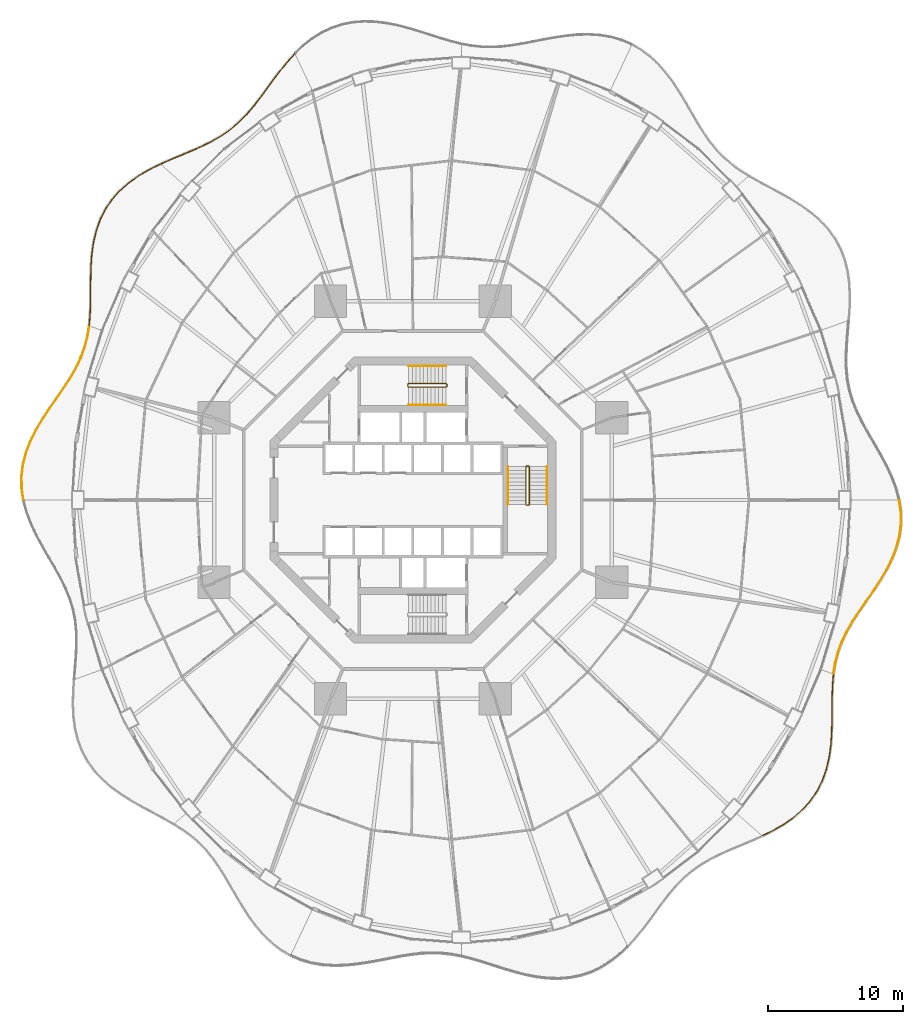
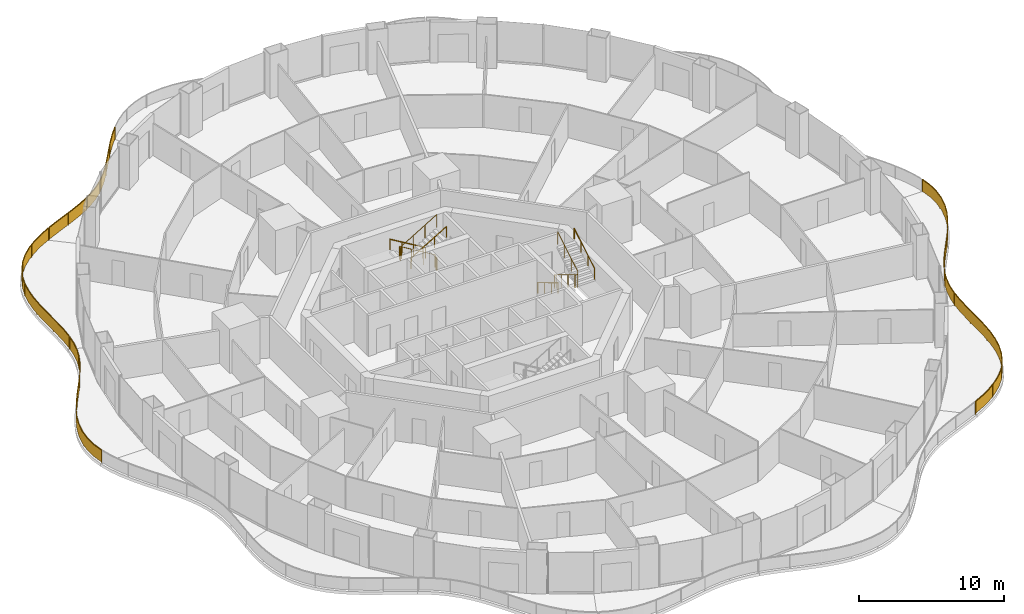
# One storey, part 21 of 22: 11 railings.
"""IFC4 building model written with IfcOpenShell, lengths in metres."""

import ifcopenshell
import ifcopenshell.guid

model = None  # the IFC model being written
_history = None  # IfcOwnerHistory: only IFC2X3 demands one
_inside = {}  # id of a spatial element -> (the spatial element, [elements in it])
_under = {}  # id of a project, library or spatial element -> (it, [spatial elements below it])
_declared = {}  # id of a project -> (the project, [libraries it declares])
_typed = {}  # id of a type object -> (the type object, [elements of that type])
_made_of = {}  # id of a material, layer set ... -> (it, [elements and type objects made of it])


def new_model(schema):
    """Start an empty IFC model of exactly this schema.

    Asked for "IFC4X3", IfcOpenShell would pick the latest addendum, in which some entities
    have other attributes; the version numbers below select the first issue.
    IFC2X3 requires an IfcOwnerHistory on every rooted entity: one is made here for all.
    """
    global model, _history
    if schema == "IFC4X3":
        model = ifcopenshell.file(schema_version=(4, 3, 0, 0))
    else:
        model = ifcopenshell.file(schema=schema)
    _inside.clear()
    _under.clear()
    _declared.clear()
    _typed.clear()
    _made_of.clear()
    _history = None
    if model.schema == "IFC2X3":
        org = make("IfcOrganization", Name="unknown")
        user = make(
            "IfcPersonAndOrganization",
            ThePerson=make("IfcPerson", FamilyName="unknown"),
            TheOrganization=org,
        )
        app = make(
            "IfcApplication",
            ApplicationDeveloper=org,
            Version="unknown",
            ApplicationFullName="unknown",
            ApplicationIdentifier="unknown",
        )
        _history = make(
            "IfcOwnerHistory",
            OwningUser=user,
            OwningApplication=app,
            ChangeAction="ADDED",
            CreationDate=0,
        )
    return model


def make(cls, **values):
    """One entity of the class cls with the attributes given. An attribute that is None is left unset."""
    return model.create_entity(
        cls, **{name: value for name, value in values.items() if value is not None}
    )


def rooted(cls, **values):
    """An entity with a GlobalId (a new one), such as an element, a storey or a relation."""
    return make(cls, GlobalId=ifcopenshell.guid.new(), OwnerHistory=_history, **values)


def si_unit(unit_type, name, prefix=None):
    """IfcSIUnit, for example si_unit("LENGTHUNIT", "METRE", prefix="MILLI")."""
    return make("IfcSIUnit", UnitType=unit_type, Prefix=prefix, Name=name)


def assignment(units):
    """IfcUnitAssignment: the units of a project."""
    return None if units is None else make("IfcUnitAssignment", Units=units)


def point(xyz):
    """IfcCartesianPoint."""
    return None if xyz is None else make("IfcCartesianPoint", Coordinates=xyz)


def direction(xyz):
    """IfcDirection."""
    return None if xyz is None else make("IfcDirection", DirectionRatios=xyz)


def frame(location, z_axis=None, x_axis=None):
    """IfcAxis2Placement3D, a coordinate frame: its origin and axes. An axis left out is left unset."""
    return make(
        "IfcAxis2Placement3D",
        Location=point(location),
        Axis=direction(z_axis),
        RefDirection=direction(x_axis),
    )


def frame_2d(location, x_axis=None):
    """IfcAxis2Placement2D, a coordinate frame in the plane: its origin and x axis."""
    return make(
        "IfcAxis2Placement2D", Location=point(location), RefDirection=direction(x_axis)
    )


def origin():
    """The frame at (0, 0, 0) with its axes left unset."""
    return frame((0.0, 0.0, 0.0))


def origin_2d():
    """The frame at (0, 0) in the plane with its x axis left unset."""
    return frame_2d((0.0, 0.0))


def place(relative_to, where):
    """IfcLocalPlacement: puts the frame where relative to a parent placement (None: the world)."""
    return make(
        "IfcLocalPlacement", PlacementRelTo=relative_to, RelativePlacement=where
    )


def context(
    kind, dimensions, precision=None, world=None, true_north=None, identifier=None
):
    """IfcGeometricRepresentationContext, for example the 3D "Model" context."""
    return make(
        "IfcGeometricRepresentationContext",
        ContextIdentifier=identifier,
        ContextType=kind,
        CoordinateSpaceDimension=dimensions,
        Precision=precision,
        WorldCoordinateSystem=world,
        TrueNorth=true_north,
    )


def subcontext(parent, identifier, kind, view, scale=None):
    """IfcGeometricRepresentationSubContext, for example "Body" below "Model"."""
    return make(
        "IfcGeometricRepresentationSubContext",
        ContextIdentifier=identifier,
        ContextType=kind,
        ParentContext=parent,
        TargetScale=scale,
        TargetView=view,
    )


def project(units=None, contexts=None):
    """IfcProject with its units and contexts."""
    return rooted(
        "IfcProject",
        Name="project",
        RepresentationContexts=contexts,
        UnitsInContext=assignment(units),
    )


def spatial(cls, under=None, at=None, **own):
    """A site, building, storey or space (cls), placed at a placement, below another one or the project."""
    s = rooted(cls, ObjectPlacement=at, **own)
    if under is not None:
        _under.setdefault(under.id(), (under, []))[1].append(s)
    return s


def polyline(points):
    """IfcPolyline through the points."""
    return make("IfcPolyline", Points=[point(p) for p in points])


def profile(cls, at=None, kind="AREA", **sizes):
    """A parametric profile (cls). Its sizes go by their IFC names, for example OverallWidth=200.0."""
    return make(cls, ProfileType=kind, Position=at, **sizes)


def rectangle(**sizes):
    """IfcRectangleProfileDef."""
    return profile("IfcRectangleProfileDef", **sizes)


def circle(**sizes):
    """IfcCircleProfileDef."""
    return profile("IfcCircleProfileDef", **sizes)


def outline(outer, holes=None, kind="AREA"):
    """IfcArbitraryClosedProfileDef: a profile drawn as a closed curve; with holes, ...WithVoids."""
    if holes is None:
        return make("IfcArbitraryClosedProfileDef", ProfileType=kind, OuterCurve=outer)
    return make(
        "IfcArbitraryProfileDefWithVoids",
        ProfileType=kind,
        OuterCurve=outer,
        InnerCurves=holes,
    )


def extrude(swept, where, along, depth):
    """IfcExtrudedAreaSolid: the profile swept, set in the frame where, extruded along a direction by depth."""
    return make(
        "IfcExtrudedAreaSolid",
        SweptArea=swept,
        Position=where,
        ExtrudedDirection=direction(along),
        Depth=depth,
    )


def shape(context_of_items, identifier, shape_type, items):
    """IfcShapeRepresentation: the items that make up one representation, for example the "Body"."""
    return make(
        "IfcShapeRepresentation",
        ContextOfItems=context_of_items,
        RepresentationIdentifier=identifier,
        RepresentationType=shape_type,
        Items=items,
    )


def material(Name=None, Category=None):
    """IfcMaterial."""
    return make("IfcMaterial", Name=Name, Category=Category)


def made_of(thing, what):
    """Note that an element or type object is made of a material, layer set ...; save() writes the relation."""
    if what is not None:
        _made_of.setdefault(what.id(), (what, []))[1].append(thing)
    return thing


def type_object(cls, material=None, **own):
    """A type object (cls), such as IfcWallType, which elements share."""
    return made_of(rooted(cls, **own), material)


def element(
    cls,
    number,
    at=None,
    inside=None,
    cuts=None,
    type_object=None,
    material=None,
    context=None,
    identifier="Body",
    shape_type=None,
    held_by="IfcProductDefinitionShape",
    body=None,
    shapes=None,
    **own,
):
    """One element of the class cls, such as IfcWall. Its Tag is "e" and its number.

    at: its placement. inside: the storey or other place that contains it. cuts: it is an
    opening in that element (IfcRelVoidsElement). A single representation is given by context,
    identifier, shape_type and body (its items); several are given by shapes. held_by: the class
    of the entity that holds the representations. save() writes the other relations.
    """
    e = rooted(cls, Tag="e%d" % number, ObjectPlacement=at, **own)
    if body is not None:
        shapes = [shape(context, identifier, shape_type, body)]
    if shapes is not None:
        e.Representation = make(held_by, Representations=shapes)
    if inside is not None:
        _inside.setdefault(inside.id(), (inside, []))[1].append(e)
    if cuts is not None:
        rooted(
            "IfcRelVoidsElement", RelatingBuildingElement=cuts, RelatedOpeningElement=e
        )
    if type_object is not None:
        _typed.setdefault(type_object.id(), (type_object, []))[1].append(e)
    return made_of(e, material)


def aggregate(whole, parts):
    """IfcRelAggregates: a whole, such as a stair, and the parts it consists of."""
    return rooted("IfcRelAggregates", RelatingObject=whole, RelatedObjects=parts)


def save(model, path):
    """Write the relations noted so far, then the file.

    IfcRelAggregates (storeys below a building ...), IfcRelContainedInSpatialStructure (elements
    in a storey), IfcRelDefinesByType, IfcRelAssociatesMaterial and IfcRelDeclares: one each for
    every whole, place, type object, material and project.
    """
    for whole, parts in _under.values():
        aggregate(whole, parts)
    for where, things in _inside.values():
        rooted(
            "IfcRelContainedInSpatialStructure",
            RelatedElements=things,
            RelatingStructure=where,
        )
    for kind, things in _typed.values():
        rooted("IfcRelDefinesByType", RelatedObjects=things, RelatingType=kind)
    for what, things in _made_of.values():
        rooted("IfcRelAssociatesMaterial", RelatedObjects=things, RelatingMaterial=what)
    for by, libraries in _declared.values():
        rooted("IfcRelDeclares", RelatingContext=by, RelatedDefinitions=libraries)
    model.write(path)


model = new_model("IFC4")

# Units and contexts
model_context = context("Model", 3, precision=1e-05, world=origin(), true_north=direction((0.0, 1.0)))
body_context = subcontext(model_context, "Body", "Model", "MODEL_VIEW")
ifc_project = project(units=[si_unit("LENGTHUNIT", "METRE"), si_unit("AREAUNIT", "SQUARE_METRE"), si_unit("VOLUMEUNIT", "CUBIC_METRE"), si_unit("PLANEANGLEUNIT", "RADIAN"), si_unit("MASSUNIT", "GRAM", prefix="KILO")], contexts=[model_context])

# Site, building, storey
site_placement = place(None, origin())
site = spatial("IfcSite", under=ifc_project, at=site_placement, CompositionType="ELEMENT")
building_placement = place(site_placement, origin())
building = spatial("IfcBuilding", under=site, at=building_placement, Name="Nagisa Residences", CompositionType="ELEMENT")
storey_placement = place(building_placement, frame((0.0, 0.0, 34.39990234375)))
storey = spatial("IfcBuildingStorey", under=building, at=storey_placement, Name="L07", CompositionType="ELEMENT", Elevation=34.39990234375)

# Railings
ifc_material_1 = material(Name="Stainless steel 316", Category="steel")
railing_type_1 = type_object("IfcRailingType", Name="BALCONY GUARD 1100", PredefinedType="BALUSTRADE", material=ifc_material_1)
railing_1_placement = place(storey_placement, frame((-8.7958984375, 33.15869140625, 0.0)))
element("IfcRailing", 1, at=railing_1_placement, inside=storey, type_object=railing_type_1, Name="guard:L07:bal05-0", PredefinedType="BALUSTRADE", context=body_context, shape_type="SweptSolid", body=[
    extrude(outline(polyline([(-0.5439453125, -0.640869140625), (0.0185546875, -0.016845703125), (-0.0185546875, 0.016845703125), (-0.58203125, -0.608154296875), (-1.140625, -1.299560546875), (-1.669189453125, -2.00390625), (-2.1787109375, -2.70263671875), (-2.680419921875, -3.379150390625), (-3.173095703125, -4.01025390625), (-3.696533203125, -4.60400390625), (-4.248046875, -5.14599609375), (-4.83544921875, -5.634521484375), (-5.465087890625, -6.072021484375), (-6.127197265625, -6.454833984375), (-6.844482421875, -6.813720703125), (-7.599853515625, -7.150634765625), (-8.384033203125, -7.47900390625), (-9.184814453125, -7.814453125), (-9.94677734375, -8.14990234375), (-9.9267578125, -8.19580078125), (-9.165283203125, -7.8603515625), (-8.364501953125, -7.525390625), (-7.579833984375, -7.196533203125), (-6.822998046875, -6.859130859375), (-6.103271484375, -6.498779296875), (-5.438232421875, -6.114501953125), (-4.80517578125, -5.674560546875), (-4.21435546875, -5.18310546875), (-3.660400390625, -4.638671875), (-3.134521484375, -4.0419921875), (-2.640380859375, -3.409423828125), (-2.13818359375, -2.732421875), (-1.629150390625, -2.03369140625), (-1.10107421875, -1.330322265625), (-0.5439453125, -0.640869140625)])), frame((0.0, 0.0, 1.050048828125)), (0.0, 0.0, 1.0), 0.050048828125),
    extrude(outline(polyline([(-0.5576171875, -0.629150390625), (0.005126953125, -0.004638671875), (-0.005126953125, 0.004638671875), (-0.568359375, -0.619873046875), (-1.12646484375, -1.310546875), (-1.65478515625, -2.0146484375), (-2.1640625, -2.71337890625), (-2.666015625, -3.39013671875), (-3.1591796875, -4.021728515625), (-3.68359375, -4.616455078125), (-4.23583984375, -5.159423828125), (-4.824462890625, -5.64892578125), (-5.455322265625, -6.08740234375), (-6.11865234375, -6.470703125), (-6.836669921875, -6.830078125), (-7.592529296875, -7.167236328125), (-8.376953125, -7.495849609375), (-9.177734375, -7.8310546875), (-9.939697265625, -8.16650390625), (-9.933837890625, -8.17919921875), (-9.17236328125, -7.84375), (-8.37158203125, -7.508544921875), (-7.587158203125, -7.179931640625), (-6.830810546875, -6.8427734375), (-6.11181640625, -6.48291015625), (-5.447998046875, -6.09912109375), (-4.816162109375, -5.66015625), (-4.2265625, -5.169677734375), (-3.67333984375, -4.626220703125), (-3.1484375, -4.030517578125), (-2.65478515625, -3.3984375), (-2.15283203125, -2.7216796875), (-1.6435546875, -2.02294921875), (-1.115234375, -1.3193359375), (-0.5576171875, -0.629150390625)])), frame((0.0, 0.0, 0.06005859375)), (0.0, 0.0, 1.0), 0.989990234375),
    extrude(rectangle(XDim=0.0400390625, YDim=0.0400390625, at=origin_2d()), origin(), (0.0, 0.0, 1.0), 1.050048828125),
    extrude(rectangle(XDim=0.0400390625, YDim=0.0400390625, at=origin_2d()), frame((-1.40087890625, -1.68798828125, 0.0)), (0.0, 0.0, 1.0), 1.050048828125),
    extrude(rectangle(XDim=0.0400390625, YDim=0.0400390625, at=origin_2d()), frame((-2.7060546875, -3.45263671875, 0.0)), (0.0, 0.0, 1.0), 1.050048828125),
    extrude(rectangle(XDim=0.0400390625, YDim=0.0400390625, at=origin_2d()), frame((-4.1591796875, -5.09375, 0.0)), (0.0, 0.0, 1.0), 1.050048828125),
    extrude(rectangle(XDim=0.0400390625, YDim=0.0400390625, at=origin_2d()), frame((-5.935546875, -6.372802734375, 0.0)), (0.0, 0.0, 1.0), 1.050048828125),
    extrude(rectangle(XDim=0.0400390625, YDim=0.0400390625, at=origin_2d()), frame((-7.918212890625, -7.31103515625, 0.0)), (0.0, 0.0, 1.0), 1.050048828125),
    extrude(rectangle(XDim=0.0400390625, YDim=0.0400390625, at=origin_2d()), frame((-9.936767578125, -8.1728515625, 0.0)), (0.0, 0.0, 1.0), 1.050048828125),
])
railing_2_placement = place(storey_placement, frame((-18.802734375, 24.954345703125, 0.0)))
element("IfcRailing", 2, at=railing_2_placement, inside=storey, type_object=railing_type_1, Name="guard:L07:bal06-0", PredefinedType="BALUSTRADE", context=body_context, shape_type="SweptSolid", body=[
    extrude(outline(polyline([(-0.774658203125, -0.409912109375), (0.010986328125, -0.0224609375), (-0.010986328125, 0.0224609375), (-0.798583984375, -0.365966796875), (-1.591064453125, -0.827880859375), (-2.33056640625, -1.35009765625), (-2.9990234375, -1.939208984375), (-3.58349609375, -2.59619140625), (-4.066650390625, -3.3076171875), (-4.4599609375, -4.091552734375), (-4.757080078125, -4.92626953125), (-4.96435546875, -5.80078125), (-5.09326171875, -6.702392578125), (-5.15380859375, -7.60498046875), (-5.178955078125, -8.521728515625), (-5.18359375, -9.4287109375), (-5.18994140625, -10.316650390625), (-5.219482421875, -11.1787109375), (-5.286376953125, -11.9697265625), (-5.236572265625, -11.97412109375), (-5.169677734375, -11.181640625), (-5.14013671875, -10.317626953125), (-5.1337890625, -9.42919921875), (-5.129150390625, -8.522705078125), (-5.10400390625, -7.607421875), (-5.04345703125, -6.707763671875), (-4.9150390625, -5.81005859375), (-4.709228515625, -4.9404296875), (-4.4140625, -4.111083984375), (-4.023193359375, -3.3330078125), (-3.5439453125, -2.626953125), (-2.9638671875, -1.974853515625), (-2.29931640625, -1.3896484375), (-1.564208984375, -0.869873046875), (-0.774658203125, -0.409912109375)])), frame((0.0, 0.0, 1.050048828125)), (0.0, 0.0, 1.0), 0.050048828125),
    extrude(outline(polyline([(-0.783203125, -0.39404296875), (0.003173828125, -0.00634765625), (-0.003173828125, 0.00634765625), (-0.7900390625, -0.3818359375), (-1.58154296875, -0.843017578125), (-2.3193359375, -1.3642578125), (-2.986328125, -1.9521484375), (-3.5693359375, -2.607177734375), (-4.051025390625, -3.316650390625), (-4.443359375, -4.0986328125), (-4.739990234375, -4.931396484375), (-4.946533203125, -5.80419921875), (-5.075439453125, -6.704345703125), (-5.135986328125, -7.60595703125), (-5.1611328125, -8.522216796875), (-5.165771484375, -9.428955078125), (-5.172119140625, -10.31689453125), (-5.20166015625, -11.1796875), (-5.2685546875, -11.971435546875), (-5.25439453125, -11.972412109375), (-5.1875, -11.1806640625), (-5.157958984375, -10.3173828125), (-5.151611328125, -9.428955078125), (-5.14697265625, -8.522216796875), (-5.121826171875, -7.6064453125), (-5.061279296875, -6.705810546875), (-4.932861328125, -5.806640625), (-4.726318359375, -4.935302734375), (-4.4306640625, -4.10400390625), (-4.038818359375, -3.323974609375), (-3.55810546875, -2.615966796875), (-2.9765625, -1.9619140625), (-2.310546875, -1.37548828125), (-1.57373046875, -0.854736328125), (-0.783203125, -0.39404296875)])), frame((0.0, 0.0, 0.06005859375)), (0.0, 0.0, 1.0), 0.989990234375),
    extrude(rectangle(XDim=0.0400390625, YDim=0.0400390625, at=origin_2d()), origin(), (0.0, 0.0, 1.0), 1.050048828125),
    extrude(rectangle(XDim=0.0400390625, YDim=0.0400390625, at=origin_2d()), frame((-2.039794921875, -1.175537109375, 0.0)), (0.0, 0.0, 1.0), 1.050048828125),
    extrude(rectangle(XDim=0.0400390625, YDim=0.0400390625, at=origin_2d()), frame((-3.708251953125, -2.824462890625, 0.0)), (0.0, 0.0, 1.0), 1.050048828125),
    extrude(rectangle(XDim=0.0400390625, YDim=0.0400390625, at=origin_2d()), frame((-4.733642578125, -4.935302734375, 0.0)), (0.0, 0.0, 1.0), 1.050048828125),
    extrude(rectangle(XDim=0.0400390625, YDim=0.0400390625, at=origin_2d()), frame((-5.105712890625, -7.259521484375, 0.0)), (0.0, 0.0, 1.0), 1.050048828125),
    extrude(rectangle(XDim=0.0400390625, YDim=0.0400390625, at=origin_2d()), frame((-5.159912109375, -9.61669921875, 0.0)), (0.0, 0.0, 1.0), 1.050048828125),
    extrude(rectangle(XDim=0.0400390625, YDim=0.0400390625, at=origin_2d()), frame((-5.261474609375, -11.971923828125, 0.0)), (0.0, 0.0, 1.0), 1.050048828125),
])
railing_3_placement = place(storey_placement, frame((-24.071044921875, 12.911376953125, 0.0)))
element("IfcRailing", 3, at=railing_3_placement, inside=storey, type_object=railing_type_1, Name="guard:L07:bal07-0", PredefinedType="BALUSTRADE", context=body_context, shape_type="SweptSolid", body=[
    extrude(outline(polyline([(-0.102783203125, -0.79296875), (0.024658203125, -0.00390625), (-0.024658203125, 0.00390625), (-0.151611328125, -0.78271484375), (-0.358154296875, -1.580322265625), (-0.642578125, -2.353515625), (-1.00390625, -3.109130859375), (-1.43408203125, -3.855224609375), (-1.916015625, -4.587646484375), (-2.436767578125, -5.3408203125), (-2.9697265625, -6.108642578125), (-3.489013671875, -6.89599609375), (-3.96875, -7.706298828125), (-4.38232421875, -8.526123046875), (-4.7109375, -9.382080078125), (-4.935791015625, -10.255615234375), (-5.04541015625, -11.1416015625), (-5.035400390625, -12.033203125), (-4.913818359375, -12.876708984375), (-4.864501953125, -12.869384765625), (-4.985595703125, -12.029296875), (-4.9951171875, -11.14453125), (-4.886474609375, -10.264892578125), (-4.6630859375, -9.397216796875), (-4.33642578125, -8.546630859375), (-3.9248046875, -7.730224609375), (-3.446533203125, -6.92236328125), (-2.92822265625, -6.136474609375), (-2.395751953125, -5.369140625), (-1.87451171875, -4.615478515625), (-1.3916015625, -3.881591796875), (-0.95947265625, -3.132568359375), (-0.59619140625, -2.373046875), (-0.310302734375, -1.595458984375), (-0.102783203125, -0.79296875)])), frame((0.0, 0.0, 1.050048828125)), (0.0, 0.0, 1.0), 0.050048828125),
    extrude(outline(polyline([(-0.120361328125, -0.789306640625), (0.0068359375, -0.001220703125), (-0.0068359375, 0.001220703125), (-0.134033203125, -0.786376953125), (-0.3408203125, -1.585693359375), (-0.625732421875, -2.360595703125), (-0.98779296875, -3.11767578125), (-1.418701171875, -3.86474609375), (-1.901123046875, -4.59765625), (-2.422119140625, -5.35107421875), (-2.954833984375, -6.11865234375), (-3.4736328125, -6.905517578125), (-3.952880859375, -7.71484375), (-4.36572265625, -8.533447265625), (-4.693603515625, -9.387451171875), (-4.91796875, -10.259033203125), (-5.02734375, -11.142578125), (-5.017578125, -12.03173828125), (-4.89599609375, -12.8740234375), (-4.88232421875, -12.8720703125), (-5.00341796875, -12.03076171875), (-5.01318359375, -11.1435546875), (-4.904296875, -10.261474609375), (-4.680419921875, -9.391845703125), (-4.35302734375, -8.539306640625), (-3.940673828125, -7.7216796875), (-3.4619140625, -6.912841796875), (-2.943115234375, -6.12646484375), (-2.410400390625, -5.35888671875), (-1.889404296875, -4.60546875), (-1.406982421875, -3.8720703125), (-0.9755859375, -3.1240234375), (-0.613037109375, -2.365966796875), (-0.32763671875, -1.590087890625), (-0.120361328125, -0.789306640625)])), frame((0.0, 0.0, 0.06005859375)), (0.0, 0.0, 1.0), 0.989990234375),
    extrude(rectangle(XDim=0.0400390625, YDim=0.0400390625, at=origin_2d()), origin(), (0.0, 0.0, 1.0), 1.050048828125),
    extrude(rectangle(XDim=0.0400390625, YDim=0.0400390625, at=origin_2d()), frame((-0.5859375, -2.272216796875, 0.0)), (0.0, 0.0, 1.0), 1.050048828125),
    extrude(rectangle(XDim=0.0400390625, YDim=0.0400390625, at=origin_2d()), frame((-1.71728515625, -4.3310546875, 0.0)), (0.0, 0.0, 1.0), 1.050048828125),
    extrude(rectangle(XDim=0.0400390625, YDim=0.0400390625, at=origin_2d()), frame((-3.0478515625, -6.272216796875, 0.0)), (0.0, 0.0, 1.0), 1.050048828125),
    extrude(rectangle(XDim=0.0400390625, YDim=0.0400390625, at=origin_2d()), frame((-4.23974609375, -8.299072265625, 0.0)), (0.0, 0.0, 1.0), 1.050048828125),
    extrude(rectangle(XDim=0.0400390625, YDim=0.0400390625, at=origin_2d()), frame((-4.94482421875, -10.532958984375, 0.0)), (0.0, 0.0, 1.0), 1.050048828125),
    extrude(rectangle(XDim=0.0400390625, YDim=0.0400390625, at=origin_2d()), frame((-4.88916015625, -12.873046875, 0.0)), (0.0, 0.0, 1.0), 1.050048828125),
])
railing_4_placement = place(storey_placement, frame((26.0029296875, -24.954345703125, 0.0)))
element("IfcRailing", 4, at=railing_4_placement, inside=storey, type_object=railing_type_1, Name="guard:L07:bal14-0", PredefinedType="BALUSTRADE", context=body_context, shape_type="SweptSolid", body=[
    extrude(outline(polyline([(0.7744140625, 0.409912109375), (-0.010986328125, 0.0224609375), (0.010986328125, -0.0224609375), (0.79833984375, 0.365966796875), (1.5908203125, 0.827880859375), (2.330322265625, 1.35009765625), (2.998779296875, 1.939208984375), (3.583251953125, 2.59619140625), (4.066650390625, 3.3076171875), (4.4599609375, 4.091552734375), (4.7568359375, 4.92626953125), (4.964111328125, 5.80078125), (5.093017578125, 6.702392578125), (5.153564453125, 7.60498046875), (5.1787109375, 8.521728515625), (5.183349609375, 9.4287109375), (5.189697265625, 10.316650390625), (5.21923828125, 11.1787109375), (5.2861328125, 11.9697265625), (5.236328125, 11.97412109375), (5.16943359375, 11.181640625), (5.139892578125, 10.317626953125), (5.133544921875, 9.42919921875), (5.12890625, 8.522705078125), (5.103759765625, 7.607421875), (5.043212890625, 6.707763671875), (4.914794921875, 5.81005859375), (4.708984375, 4.9404296875), (4.4140625, 4.111083984375), (4.023193359375, 3.3330078125), (3.543701171875, 2.626953125), (2.963623046875, 1.974853515625), (2.299072265625, 1.3896484375), (1.56396484375, 0.869873046875), (0.7744140625, 0.409912109375)])), frame((0.0, 0.0, 1.050048828125)), (0.0, 0.0, 1.0), 0.050048828125),
    extrude(outline(polyline([(0.782958984375, 0.39404296875), (-0.003173828125, 0.00634765625), (0.003173828125, -0.00634765625), (0.789794921875, 0.3818359375), (1.581298828125, 0.843017578125), (2.319091796875, 1.3642578125), (2.986083984375, 1.9521484375), (3.569091796875, 2.607177734375), (4.051025390625, 3.316650390625), (4.443359375, 4.0986328125), (4.73974609375, 4.931396484375), (4.9462890625, 5.80419921875), (5.0751953125, 6.704345703125), (5.1357421875, 7.60595703125), (5.160888671875, 8.522216796875), (5.16552734375, 9.428955078125), (5.171875, 10.31689453125), (5.201416015625, 11.1796875), (5.268310546875, 11.971435546875), (5.254150390625, 11.972412109375), (5.187255859375, 11.1806640625), (5.15771484375, 10.3173828125), (5.1513671875, 9.428955078125), (5.146728515625, 8.522216796875), (5.12158203125, 7.6064453125), (5.06103515625, 6.705810546875), (4.9326171875, 5.806640625), (4.72607421875, 4.935302734375), (4.4306640625, 4.10400390625), (4.038818359375, 3.323974609375), (3.557861328125, 2.615966796875), (2.976318359375, 1.9619140625), (2.310302734375, 1.37548828125), (1.573486328125, 0.854736328125), (0.782958984375, 0.39404296875)])), frame((0.0, 0.0, 0.06005859375)), (0.0, 0.0, 1.0), 0.989990234375),
    extrude(rectangle(XDim=0.0400390625, YDim=0.0400390625, at=origin_2d()), origin(), (0.0, 0.0, 1.0), 1.050048828125),
    extrude(rectangle(XDim=0.0400390625, YDim=0.0400390625, at=origin_2d()), frame((2.039794921875, 1.175537109375, 0.0)), (0.0, 0.0, 1.0), 1.050048828125),
    extrude(rectangle(XDim=0.0400390625, YDim=0.0400390625, at=origin_2d()), frame((3.708251953125, 2.824462890625, 0.0)), (0.0, 0.0, 1.0), 1.050048828125),
    extrude(rectangle(XDim=0.0400390625, YDim=0.0400390625, at=origin_2d()), frame((4.7333984375, 4.935546875, 0.0)), (0.0, 0.0, 1.0), 1.050048828125),
    extrude(rectangle(XDim=0.0400390625, YDim=0.0400390625, at=origin_2d()), frame((5.10546875, 7.259521484375, 0.0)), (0.0, 0.0, 1.0), 1.050048828125),
    extrude(rectangle(XDim=0.0400390625, YDim=0.0400390625, at=origin_2d()), frame((5.15966796875, 9.61669921875, 0.0)), (0.0, 0.0, 1.0), 1.050048828125),
    extrude(rectangle(XDim=0.0400390625, YDim=0.0400390625, at=origin_2d()), frame((5.26123046875, 11.971923828125, 0.0)), (0.0, 0.0, 1.0), 1.050048828125),
])
railing_5_placement = place(storey_placement, frame((31.27099609375, -12.911376953125, 0.0)))
element("IfcRailing", 5, at=railing_5_placement, inside=storey, type_object=railing_type_1, Name="guard:L07:bal15-0", PredefinedType="BALUSTRADE", context=body_context, shape_type="SweptSolid", body=[
    extrude(outline(polyline([(0.102783203125, 0.79296875), (-0.024658203125, 0.00390625), (0.024658203125, -0.00390625), (0.151611328125, 0.78271484375), (0.358154296875, 1.580322265625), (0.642822265625, 2.353515625), (1.00390625, 3.109130859375), (1.43408203125, 3.855224609375), (1.916015625, 4.587646484375), (2.436767578125, 5.3408203125), (2.9697265625, 6.108642578125), (3.489013671875, 6.89599609375), (3.96875, 7.706298828125), (4.38232421875, 8.526123046875), (4.7109375, 9.382080078125), (4.935791015625, 10.255615234375), (5.045654296875, 11.1416015625), (5.035400390625, 12.033203125), (4.913818359375, 12.876708984375), (4.864501953125, 12.869384765625), (4.985595703125, 12.029296875), (4.995361328125, 11.14453125), (4.886474609375, 10.264892578125), (4.6630859375, 9.397216796875), (4.33642578125, 8.546630859375), (3.9248046875, 7.730224609375), (3.446533203125, 6.92236328125), (2.92822265625, 6.136474609375), (2.395751953125, 5.369140625), (1.87451171875, 4.615478515625), (1.3916015625, 3.881591796875), (0.95947265625, 3.132568359375), (0.596435546875, 2.373046875), (0.310302734375, 1.595458984375), (0.102783203125, 0.79296875)])), frame((0.0, 0.0, 1.050048828125)), (0.0, 0.0, 1.0), 0.050048828125),
    extrude(outline(polyline([(0.120361328125, 0.789306640625), (-0.0068359375, 0.001220703125), (0.0068359375, -0.001220703125), (0.134033203125, 0.786376953125), (0.3408203125, 1.585693359375), (0.6259765625, 2.360595703125), (0.98779296875, 3.11767578125), (1.418701171875, 3.86474609375), (1.901123046875, 4.59765625), (2.422119140625, 5.35107421875), (2.954833984375, 6.11865234375), (3.4736328125, 6.905517578125), (3.952880859375, 7.71484375), (4.36572265625, 8.533447265625), (4.693603515625, 9.387451171875), (4.91796875, 10.259033203125), (5.027587890625, 11.142578125), (5.017578125, 12.03173828125), (4.89599609375, 12.8740234375), (4.88232421875, 12.8720703125), (5.00341796875, 12.03076171875), (5.013427734375, 11.1435546875), (4.904296875, 10.261474609375), (4.680419921875, 9.391845703125), (4.35302734375, 8.539306640625), (3.940673828125, 7.7216796875), (3.4619140625, 6.912841796875), (2.943115234375, 6.12646484375), (2.410400390625, 5.35888671875), (1.889404296875, 4.60546875), (1.406982421875, 3.8720703125), (0.9755859375, 3.1240234375), (0.61328125, 2.365966796875), (0.32763671875, 1.590087890625), (0.120361328125, 0.789306640625)])), frame((0.0, 0.0, 0.06005859375)), (0.0, 0.0, 1.0), 0.989990234375),
    extrude(rectangle(XDim=0.0400390625, YDim=0.0400390625, at=origin_2d()), origin(), (0.0, 0.0, 1.0), 1.050048828125),
    extrude(rectangle(XDim=0.0400390625, YDim=0.0400390625, at=origin_2d()), frame((0.586181640625, 2.272216796875, 0.0)), (0.0, 0.0, 1.0), 1.050048828125),
    extrude(rectangle(XDim=0.0400390625, YDim=0.0400390625, at=origin_2d()), frame((1.71728515625, 4.3310546875, 0.0)), (0.0, 0.0, 1.0), 1.050048828125),
    extrude(rectangle(XDim=0.0400390625, YDim=0.0400390625, at=origin_2d()), frame((3.0478515625, 6.272216796875, 0.0)), (0.0, 0.0, 1.0), 1.050048828125),
    extrude(rectangle(XDim=0.0400390625, YDim=0.0400390625, at=origin_2d()), frame((4.23974609375, 8.299072265625, 0.0)), (0.0, 0.0, 1.0), 1.050048828125),
    extrude(rectangle(XDim=0.0400390625, YDim=0.0400390625, at=origin_2d()), frame((4.94482421875, 10.532958984375, 0.0)), (0.0, 0.0, 1.0), 1.050048828125),
    extrude(rectangle(XDim=0.0400390625, YDim=0.0400390625, at=origin_2d()), frame((4.88916015625, 12.873046875, 0.0)), (0.0, 0.0, 1.0), 1.050048828125),
])
ifc_material_2 = material(Name="Stainless steel", Category="steel")
railing_type_2 = type_object("IfcRailingType", Name="Stair guard 1100", PredefinedType="GUARDRAIL", material=ifc_material_2)
railing_6_placement = place(storey_placement, frame((8.599609375, 2.52490234375, 0.0)))
element("IfcRailing", 6, at=railing_6_placement, inside=storey, type_object=railing_type_2, Name="L07 ST-E stair guard 1", PredefinedType="GUARDRAIL", context=body_context, shape_type="SweptSolid", body=[
    extrude(circle(Radius=0.02392578125, at=origin_2d()), frame((0.0, 0.0, 1.076171875), z_axis=(-1.0, 0.0, 0.0), x_axis=(0.0, -1.0, 0.0)), (0.0, 0.0, 1.0), 0.14990234375),
    extrude(circle(Radius=0.02392578125, at=origin_2d()), frame((-0.14990234375, 0.0, 1.076171875), z_axis=(-0.27434429532, -0.273006030465, 0.922064485248), x_axis=(0.705375805398, -0.708833529934, 0.0)), (0.0, 0.0, 1.0), 0.182373046875),
    extrude(circle(Radius=0.02392578125, at=origin_2d()), frame((-0.199951171875, -0.0498046875, 1.244140625), z_axis=(0.0, -0.857242210791, 0.514913383045), x_axis=(1.0, 0.0, 0.0)), (0.0, 0.0, 1.0), 3.266357421875),
    extrude(circle(Radius=0.02392578125, at=origin_2d()), frame((-0.199951171875, -2.849853515625, 2.92626953125), z_axis=(0.707106781187, -0.707106781187, 0.0), x_axis=(0.707106781187, 0.707106781187, 0.0)), (0.0, 0.0, 1.0), 0.07080078125),
    extrude(circle(Radius=0.02392578125, at=origin_2d()), frame((-0.14990234375, -2.89990234375, 2.92626953125), z_axis=(1.0, 0.0, 0.0), x_axis=(0.0, 1.0, 0.0)), (0.0, 0.0, 1.0), 0.14990234375),
    extrude(circle(Radius=0.02392578125, at=origin_2d()), frame((0.0, -2.89990234375, 2.92626953125), z_axis=(0.274243871929, 0.274243871929, 0.92172696468), x_axis=(-0.707106781187, 0.707106781187, 0.0)), (0.0, 0.0, 1.0), 0.1826171875),
    extrude(circle(Radius=0.02392578125, at=origin_2d()), frame((0.050048828125, -2.849853515625, 3.09423828125), z_axis=(0.0, 0.857242210791, 0.514913383045), x_axis=(-1.0, 0.0, 0.0)), (0.0, 0.0, 1.0), 3.266357421875),
    extrude(circle(Radius=0.02099609375, at=origin_2d()), origin(), (0.0, 0.0, 1.0), 1.052001953125),
    extrude(circle(Radius=0.02099609375, at=origin_2d()), frame((-0.14990234375, 0.0, 0.0)), (0.0, 0.0, 1.0), 1.052001953125),
    extrude(circle(Radius=0.02099609375, at=origin_2d()), frame((-0.199951171875, -0.0498046875, 0.168212890625)), (0.0, 0.0, 1.0), 1.052001953125),
    extrude(circle(Radius=0.02099609375, at=origin_2d()), frame((-0.199951171875, -0.983154296875, 0.728759765625)), (0.0, 0.0, 1.0), 1.052001953125),
    extrude(circle(Radius=0.02099609375, at=origin_2d()), frame((-0.199951171875, -1.91650390625, 1.28955078125)), (0.0, 0.0, 1.0), 1.052001953125),
    extrude(circle(Radius=0.02099609375, at=origin_2d()), frame((-0.199951171875, -2.849853515625, 1.85009765625)), (0.0, 0.0, 1.0), 1.052001953125),
    extrude(circle(Radius=0.02099609375, at=origin_2d()), frame((-0.14990234375, -2.89990234375, 1.85009765625)), (0.0, 0.0, 1.0), 1.052001953125),
    extrude(circle(Radius=0.02099609375, at=origin_2d()), frame((0.0, -2.89990234375, 1.85009765625)), (0.0, 0.0, 1.0), 1.052001953125),
    extrude(circle(Radius=0.02099609375, at=origin_2d()), frame((0.050048828125, -2.849853515625, 2.018310546875)), (0.0, 0.0, 1.0), 1.052001953125),
    extrude(circle(Radius=0.02099609375, at=origin_2d()), frame((0.050048828125, -1.91650390625, 2.578857421875)), (0.0, 0.0, 1.0), 1.052001953125),
    extrude(circle(Radius=0.02099609375, at=origin_2d()), frame((0.050048828125, -0.983154296875, 3.1396484375)), (0.0, 0.0, 1.0), 1.052001953125),
    extrude(circle(Radius=0.02099609375, at=origin_2d()), frame((0.050048828125, -0.0498046875, 3.7001953125)), (0.0, 0.0, 1.0), 1.052001953125),
])
railing_7_placement = place(storey_placement, frame((2.52490234375, 8.44970703125, 0.0)))
element("IfcRailing", 7, at=railing_7_placement, inside=storey, type_object=railing_type_2, Name="L07 ST-N stair guard 1", PredefinedType="GUARDRAIL", context=body_context, shape_type="SweptSolid", body=[
    extrude(circle(Radius=0.02392578125, at=origin_2d()), frame((0.0, 0.0, 1.076171875), z_axis=(0.0, 1.0, 0.0), x_axis=(-1.0, 0.0, 0.0)), (0.0, 0.0, 1.0), 0.14990234375),
    extrude(circle(Radius=0.02392578125, at=origin_2d()), frame((0.0, 0.14990234375, 1.076171875), z_axis=(-0.273006030465, 0.27434429532, 0.922064485248), x_axis=(-0.708833529934, -0.705375805398, 0.0)), (0.0, 0.0, 1.0), 0.182373046875),
    extrude(circle(Radius=0.02392578125, at=origin_2d()), frame((-0.0498046875, 0.199951171875, 1.244140625), z_axis=(-0.857242210791, 0.0, 0.514913383045), x_axis=(0.0, -1.0, 0.0)), (0.0, 0.0, 1.0), 3.266357421875),
    extrude(circle(Radius=0.02392578125, at=origin_2d()), frame((-2.849853515625, 0.199951171875, 2.92626953125), z_axis=(-0.707106781187, -0.707106781187, 0.0), x_axis=(0.707106781187, -0.707106781187, 0.0)), (0.0, 0.0, 1.0), 0.07080078125),
    extrude(circle(Radius=0.02392578125, at=origin_2d()), frame((-2.89990234375, 0.14990234375, 2.92626953125), z_axis=(0.0, -1.0, 0.0), x_axis=(1.0, 0.0, 0.0)), (0.0, 0.0, 1.0), 0.14990234375),
    extrude(circle(Radius=0.02392578125, at=origin_2d()), frame((-2.89990234375, 0.0, 2.92626953125), z_axis=(0.274243871929, -0.274243871929, 0.92172696468), x_axis=(0.707106781187, 0.707106781187, 0.0)), (0.0, 0.0, 1.0), 0.1826171875),
    extrude(circle(Radius=0.02392578125, at=origin_2d()), frame((-2.849853515625, -0.050048828125, 3.09423828125), z_axis=(0.857242210791, 0.0, 0.514913383045), x_axis=(0.0, 1.0, 0.0)), (0.0, 0.0, 1.0), 3.266357421875),
    extrude(circle(Radius=0.02099609375, at=origin_2d()), origin(), (0.0, 0.0, 1.0), 1.052001953125),
    extrude(circle(Radius=0.02099609375, at=origin_2d()), frame((0.0, 0.14990234375, 0.0)), (0.0, 0.0, 1.0), 1.052001953125),
    extrude(circle(Radius=0.02099609375, at=origin_2d()), frame((-0.0498046875, 0.199951171875, 0.168212890625)), (0.0, 0.0, 1.0), 1.052001953125),
    extrude(circle(Radius=0.02099609375, at=origin_2d()), frame((-0.983154296875, 0.199951171875, 0.728759765625)), (0.0, 0.0, 1.0), 1.052001953125),
    extrude(circle(Radius=0.02099609375, at=origin_2d()), frame((-1.91650390625, 0.199951171875, 1.28955078125)), (0.0, 0.0, 1.0), 1.052001953125),
    extrude(circle(Radius=0.02099609375, at=origin_2d()), frame((-2.849853515625, 0.199951171875, 1.85009765625)), (0.0, 0.0, 1.0), 1.052001953125),
    extrude(circle(Radius=0.02099609375, at=origin_2d()), frame((-2.89990234375, 0.14990234375, 1.85009765625)), (0.0, 0.0, 1.0), 1.052001953125),
    extrude(circle(Radius=0.02099609375, at=origin_2d()), frame((-2.89990234375, 0.0, 1.85009765625)), (0.0, 0.0, 1.0), 1.052001953125),
    extrude(circle(Radius=0.02099609375, at=origin_2d()), frame((-2.849853515625, -0.050048828125, 2.018310546875)), (0.0, 0.0, 1.0), 1.052001953125),
    extrude(circle(Radius=0.02099609375, at=origin_2d()), frame((-1.91650390625, -0.050048828125, 2.578857421875)), (0.0, 0.0, 1.0), 1.052001953125),
    extrude(circle(Radius=0.02099609375, at=origin_2d()), frame((-0.983154296875, -0.050048828125, 3.1396484375)), (0.0, 0.0, 1.0), 1.052001953125),
    extrude(circle(Radius=0.02099609375, at=origin_2d()), frame((-0.0498046875, -0.050048828125, 3.7001953125)), (0.0, 0.0, 1.0), 1.052001953125),
])
ifc_material_3 = material(Name="Stainless steel", Category="steel")
railing_type_3 = type_object("IfcRailingType", Name="Stair handrail 900", PredefinedType="HANDRAIL", material=ifc_material_3)
railing_8_placement = place(storey_placement, frame((7.07470703125, 2.47509765625, 0.168212890625)))
element("IfcRailing", 8, at=railing_8_placement, inside=storey, type_object=railing_type_3, Name="L07 ST-E stair handrail 1", PredefinedType="HANDRAIL", context=body_context, shape_type="SweptSolid", body=[
    extrude(circle(Radius=0.02392578125, at=origin_2d()), frame((0.0, 0.0, 0.8759765625), z_axis=(0.0, -0.857242210791, 0.514913383045), x_axis=(1.0, 0.0, 0.0)), (0.0, 0.0, 1.0), 3.266357421875),
    extrude(circle(Radius=0.02099609375, at=origin_2d()), origin(), (0.0, 0.0, 1.0), 0.851806640625),
    extrude(circle(Radius=0.02099609375, at=origin_2d()), frame((0.0, -0.933349609375, 0.560546875)), (0.0, 0.0, 1.0), 0.851806640625),
    extrude(circle(Radius=0.02099609375, at=origin_2d()), frame((0.0, -1.86669921875, 1.121337890625)), (0.0, 0.0, 1.0), 0.851806640625),
    extrude(circle(Radius=0.02099609375, at=origin_2d()), frame((0.0, -2.800048828125, 1.681884765625)), (0.0, 0.0, 1.0), 0.851806640625),
])
railing_9_placement = place(storey_placement, frame((9.974609375, -0.324951171875, 2.018310546875)))
element("IfcRailing", 9, at=railing_9_placement, inside=storey, type_object=railing_type_3, Name="L07 ST-E stair handrail 2", PredefinedType="HANDRAIL", context=body_context, shape_type="SweptSolid", body=[
    extrude(circle(Radius=0.02392578125, at=origin_2d()), frame((0.0, 0.0, 0.8759765625), z_axis=(0.0, 0.857242210791, 0.514913383045), x_axis=(-1.0, 0.0, 0.0)), (0.0, 0.0, 1.0), 3.266357421875),
    extrude(circle(Radius=0.02099609375, at=origin_2d()), origin(), (0.0, 0.0, 1.0), 0.851806640625),
    extrude(circle(Radius=0.02099609375, at=origin_2d()), frame((0.0, 0.933349609375, 0.560546875)), (0.0, 0.0, 1.0), 0.851806640625),
    extrude(circle(Radius=0.02099609375, at=origin_2d()), frame((0.0, 1.86669921875, 1.121337890625)), (0.0, 0.0, 1.0), 0.851806640625),
    extrude(circle(Radius=0.02099609375, at=origin_2d()), frame((0.0, 2.800048828125, 1.681884765625)), (0.0, 0.0, 1.0), 0.851806640625),
])
railing_10_placement = place(storey_placement, frame((2.47509765625, 9.974609375, 0.168212890625)))
element("IfcRailing", 10, at=railing_10_placement, inside=storey, type_object=railing_type_3, Name="L07 ST-N stair handrail 1", PredefinedType="HANDRAIL", context=body_context, shape_type="SweptSolid", body=[
    extrude(circle(Radius=0.02392578125, at=origin_2d()), frame((0.0, 0.0, 0.8759765625), z_axis=(-0.857242210791, 0.0, 0.514913383045), x_axis=(0.0, -1.0, 0.0)), (0.0, 0.0, 1.0), 3.266357421875),
    extrude(circle(Radius=0.02099609375, at=origin_2d()), origin(), (0.0, 0.0, 1.0), 0.851806640625),
    extrude(circle(Radius=0.02099609375, at=origin_2d()), frame((-0.933349609375, 0.0, 0.560546875)), (0.0, 0.0, 1.0), 0.851806640625),
    extrude(circle(Radius=0.02099609375, at=origin_2d()), frame((-1.86669921875, 0.0, 1.121337890625)), (0.0, 0.0, 1.0), 0.851806640625),
    extrude(circle(Radius=0.02099609375, at=origin_2d()), frame((-2.800048828125, 0.0, 1.681884765625)), (0.0, 0.0, 1.0), 0.851806640625),
])
railing_11_placement = place(storey_placement, frame((-0.324951171875, 7.07470703125, 2.018310546875)))
element("IfcRailing", 11, at=railing_11_placement, inside=storey, type_object=railing_type_3, Name="L07 ST-N stair handrail 2", PredefinedType="HANDRAIL", context=body_context, shape_type="SweptSolid", body=[
    extrude(circle(Radius=0.02392578125, at=origin_2d()), frame((0.0, 0.0, 0.8759765625), z_axis=(0.857242210791, 0.0, 0.514913383045), x_axis=(0.0, 1.0, 0.0)), (0.0, 0.0, 1.0), 3.266357421875),
    extrude(circle(Radius=0.02099609375, at=origin_2d()), origin(), (0.0, 0.0, 1.0), 0.851806640625),
    extrude(circle(Radius=0.02099609375, at=origin_2d()), frame((0.933349609375, 0.0, 0.560546875)), (0.0, 0.0, 1.0), 0.851806640625),
    extrude(circle(Radius=0.02099609375, at=origin_2d()), frame((1.86669921875, 0.0, 1.121337890625)), (0.0, 0.0, 1.0), 0.851806640625),
    extrude(circle(Radius=0.02099609375, at=origin_2d()), frame((2.800048828125, 0.0, 1.681884765625)), (0.0, 0.0, 1.0), 0.851806640625),
])

save(model, "model.ifc")
